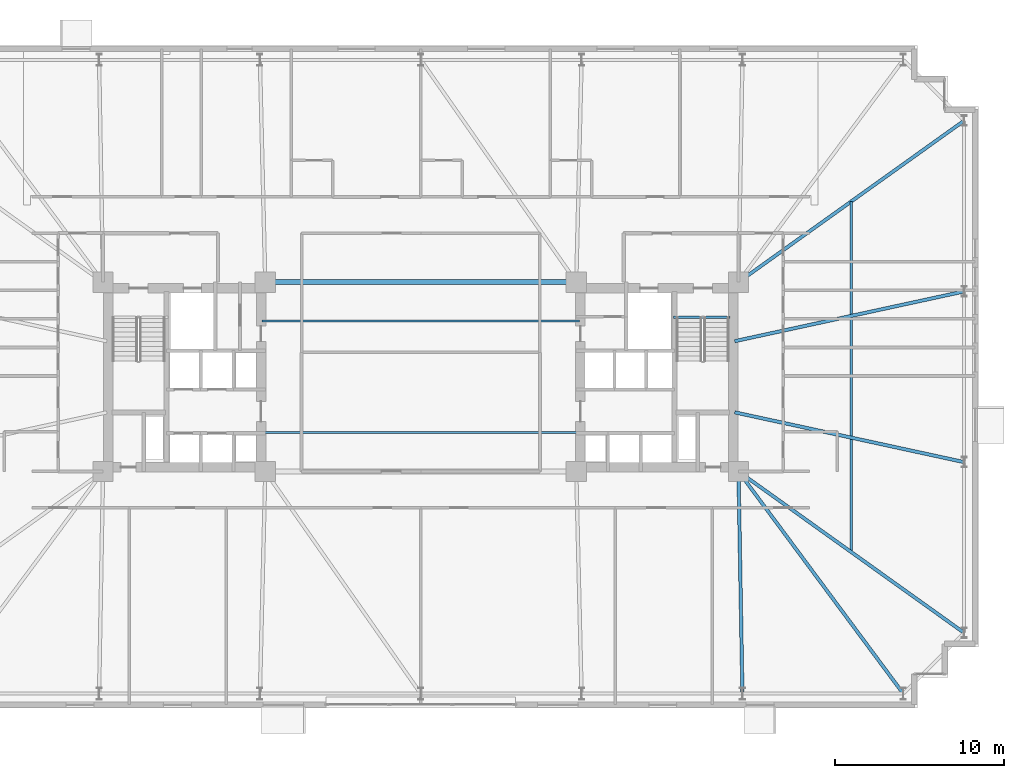
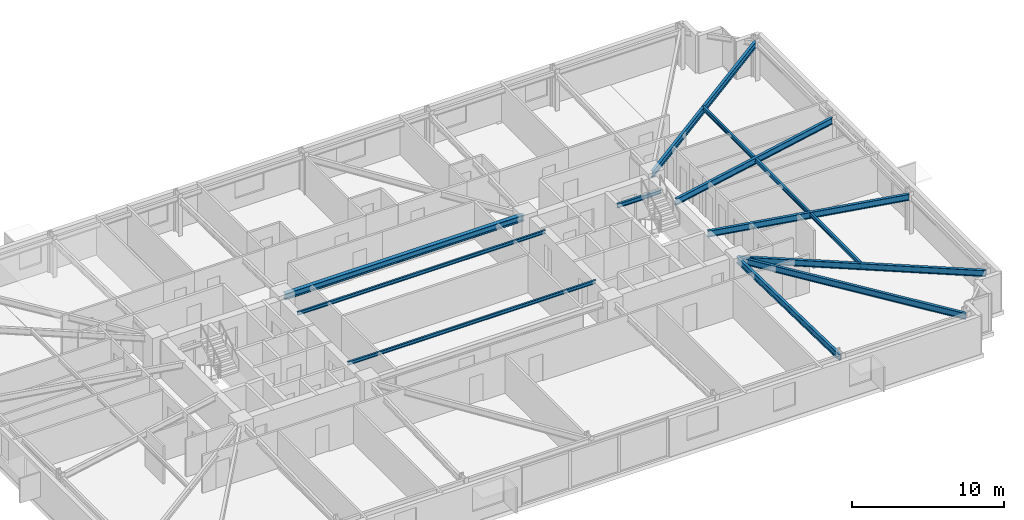
# One storey, part 11 of 26: 11 beams.
"""IFC4 building model written with IfcOpenShell, lengths in metres."""

from ifc_helpers import new_model, si_unit, direction, frame, origin, origin_2d, place, context, subcontext, project, spatial, i_section, extrude, material, material_profile, profile_set, type_object, element, save


model = new_model("IFC4")

# Units and contexts
model_context = context("Model", 3, precision=1e-05, world=origin(), true_north=direction((0.0, 1.0)))
body_context = subcontext(model_context, "Body", "Model", "MODEL_VIEW")
ifc_project = project(units=[si_unit("LENGTHUNIT", "METRE"), si_unit("AREAUNIT", "SQUARE_METRE"), si_unit("VOLUMEUNIT", "CUBIC_METRE"), si_unit("PLANEANGLEUNIT", "RADIAN"), si_unit("MASSUNIT", "GRAM", prefix="KILO")], contexts=[model_context])

# Site, building, storey
site_placement = place(None, origin())
site = spatial("IfcSite", under=ifc_project, at=site_placement, CompositionType="ELEMENT")
building_placement = place(site_placement, origin())
building = spatial("IfcBuilding", under=site, at=building_placement, Name="Qobustan Lattice House", CompositionType="ELEMENT")
storey_placement = place(building_placement, frame((0.0, 0.0, 47.10009765625)))
storey = spatial("IfcBuildingStorey", under=building, at=storey_placement, Name="L12", CompositionType="ELEMENT", Elevation=47.10009765625)

# Beams
ifc_material_1 = material(Name="Steel S355", Category="steel")
ifc_material_profile_1 = material_profile(ifc_material_1, i_section(OverallWidth=0.300048828125, OverallDepth=0.5, WebThickness=0.014404296875, FlangeThickness=0.028076171875, FilletRadius=0.027099609375, at=origin_2d()), Name="HEB500")
ifc_profile_set_1 = profile_set([ifc_material_profile_1], Name="Steel S355")
beam_type_1 = type_object("IfcBeamType", Name="BM-CG-HEB500", PredefinedType="USERDEFINED", material=ifc_profile_set_1)
beam_1_placement = place(storey_placement, frame((-9.050048828125, 5.60009765625, 2.784912109375), z_axis=(1.0, 0.0, 0.0), x_axis=(0.0, 1.0, 0.0)))
element("IfcBeam", 1, at=beam_1_placement, inside=storey, type_object=beam_type_1, Name="L12 core spine girder CG-CN", ObjectType="GIRDER", PredefinedType="USERDEFINED", context=body_context, shape_type="SweptSolid", body=[
    extrude(i_section(OverallWidth=0.300048828125, OverallDepth=0.5, WebThickness=0.014404296875, FlangeThickness=0.028076171875, FilletRadius=0.027099609375, at=origin_2d()), origin(), (0.0, 0.0, 1.0), 18.10009765625),
])
ifc_material_2 = material(Name="Steel S355", Category="steel")
ifc_material_profile_2 = material_profile(ifc_material_2, i_section(OverallWidth=0.199951171875, OverallDepth=0.5, WebThickness=0.01025390625, FlangeThickness=0.01611328125, FilletRadius=0.02099609375, at=origin_2d()), Name="IPE500")
ifc_profile_set_2 = profile_set([ifc_material_profile_2], Name="Steel S355")
beam_type_2 = type_object("IfcBeamType", Name="BM-FLG-IPE500", PredefinedType="USERDEFINED", material=ifc_profile_set_2)
beam_2_placement = place(storey_placement, frame((19.032958984375, -18.72509765625, 2.784912109375), z_axis=(-0.017757831607, 0.999842317276, 0.0), x_axis=(-0.999842317276, -0.017757831607, 0.0)))
element("IfcBeam", 2, at=beam_2_placement, inside=storey, type_object=beam_type_2, Name="L12 primary floor girder RAD-S6", ObjectType="GIRDER", PredefinedType="USERDEFINED", context=body_context, shape_type="SweptSolid", body=[
    extrude(i_section(OverallWidth=0.199951171875, OverallDepth=0.5, WebThickness=0.01025390625, FlangeThickness=0.01611328125, FilletRadius=0.02099609375, at=origin_2d()), origin(), (0.0, 0.0, 1.0), 13.10205078125),
])
beam_3_placement = place(storey_placement, frame((28.53515625, -18.72998046875, 2.784912109375), z_axis=(-0.5955916815, 0.803287338956, 0.0), x_axis=(-0.803287338956, -0.5955916815, 0.0)))
element("IfcBeam", 3, at=beam_3_placement, inside=storey, type_object=beam_type_2, Name="L12 primary floor girder RAD-S7E", ObjectType="GIRDER", PredefinedType="USERDEFINED", context=body_context, shape_type="SweptSolid", body=[
    extrude(i_section(OverallWidth=0.199951171875, OverallDepth=0.5, WebThickness=0.01025390625, FlangeThickness=0.01611328125, FilletRadius=0.02099609375, at=origin_2d()), origin(), (0.0, 0.0, 1.0), 16.3203125),
])
beam_4_placement = place(storey_placement, frame((32.129638671875, 15.135498046875, 2.784912109375), z_axis=(-0.813318954893, -0.581818079481, 0.0), x_axis=(0.581818079481, -0.813318954893, 0.0)))
element("IfcBeam", 4, at=beam_4_placement, inside=storey, type_object=beam_type_2, Name="L12 primary floor girder RAD-E4", ObjectType="GIRDER", PredefinedType="USERDEFINED", context=body_context, shape_type="SweptSolid", body=[
    extrude(i_section(OverallWidth=0.199951171875, OverallDepth=0.5, WebThickness=0.01025390625, FlangeThickness=0.01611328125, FilletRadius=0.02099609375, at=origin_2d()), origin(), (0.0, 0.0, 1.0), 16.3642578125),
])
for number, where, z_axis, x_axis, name in (
    (5, (32.12548828125, 5.044677734375, 2.784912109375), (-0.97727240275, -0.211987383643, 0.0), (0.211987383643, -0.97727240275, 0.0), "L12 primary floor girder RAD-E3"),
    (6, (32.12548828125, -5.044677734375, 2.784912109375), (-0.97727240275, 0.211987383643, 0.0), (-0.211987383643, -0.97727240275, 0.0), "L12 primary floor girder RAD-E2"),
):
    element("IfcBeam", number, at=place(storey_placement, frame(where, z_axis=z_axis, x_axis=x_axis)), inside=storey, type_object=beam_type_2, Name=name, ObjectType="GIRDER", PredefinedType="USERDEFINED", context=body_context, shape_type="SweptSolid", body=[
        extrude(i_section(OverallWidth=0.199951171875, OverallDepth=0.5, WebThickness=0.01025390625, FlangeThickness=0.01611328125, FilletRadius=0.02099609375, at=origin_2d()), origin(), (0.0, 0.0, 1.0), 13.8662109375),
    ])
beam_5_placement = place(storey_placement, frame((32.129638671875, -15.135498046875, 2.784912109375), z_axis=(-0.813318954893, 0.581818079481, 0.0), x_axis=(-0.581818079481, -0.813318954893, 0.0)))
element("IfcBeam", 7, at=beam_5_placement, inside=storey, type_object=beam_type_2, Name="L12 primary floor girder RAD-E1", ObjectType="GIRDER", PredefinedType="USERDEFINED", context=body_context, shape_type="SweptSolid", body=[
    extrude(i_section(OverallWidth=0.199951171875, OverallDepth=0.5, WebThickness=0.01025390625, FlangeThickness=0.01611328125, FilletRadius=0.02099609375, at=origin_2d()), origin(), (0.0, 0.0, 1.0), 16.3642578125),
])
ifc_material_3 = material(Name="Steel S355", Category="steel")
ifc_material_profile_3 = material_profile(ifc_material_3, i_section(OverallWidth=0.135009765625, OverallDepth=0.27001953125, WebThickness=0.006591796875, FlangeThickness=0.01025390625, FilletRadius=0.014892578125, at=origin_2d()), Name="IPE270")
ifc_profile_set_3 = profile_set([ifc_material_profile_3], Name="Steel S355")
beam_type_3 = type_object("IfcBeamType", Name="BM-JST-IPE270", PredefinedType="JOIST", material=ifc_profile_set_3)
for number, where, z_axis, x_axis, name in (
    (8, (-9.39990234375, -3.300048828125, 2.89990234375), (1.0, 0.0, 0.0), (0.0, 1.0, 0.0), "L12 central span floor joist 1"),
    (9, (-9.39990234375, 3.300048828125, 2.89990234375), (1.0, 0.0, 0.0), (0.0, 1.0, 0.0), "L12 central span floor joist 2"),
):
    element("IfcBeam", number, at=place(storey_placement, frame(where, z_axis=z_axis, x_axis=x_axis)), inside=storey, type_object=beam_type_3, Name=name, PredefinedType="JOIST", context=body_context, shape_type="SweptSolid", body=[
        extrude(i_section(OverallWidth=0.135009765625, OverallDepth=0.27001953125, WebThickness=0.006591796875, FlangeThickness=0.01025390625, FilletRadius=0.014892578125, at=origin_2d()), origin(), (0.0, 0.0, 1.0), 18.7998046875),
    ])
ifc_material_4 = material(Name="Steel S355", Category="steel")
ifc_material_profile_4 = material_profile(ifc_material_4, i_section(OverallWidth=0.159912109375, OverallDepth=0.330078125, WebThickness=0.007568359375, FlangeThickness=0.011474609375, FilletRadius=0.01806640625, at=origin_2d()), Name="IPE330")
ifc_profile_set_4 = profile_set([ifc_material_profile_4], Name="Steel S355")
beam_type_4 = type_object("IfcBeamType", Name="BM-SEC-IPE330", PredefinedType="BEAM", material=ifc_profile_set_4)
beam_6_placement = place(storey_placement, frame((25.47509765625, 10.375, 2.869873046875), z_axis=(0.0, -1.0, 0.0), x_axis=(1.0, 0.0, 0.0)))
element("IfcBeam", 10, at=beam_6_placement, inside=storey, type_object=beam_type_4, Name="L12 east wing secondary beam", PredefinedType="BEAM", context=body_context, shape_type="SweptSolid", body=[
    extrude(i_section(OverallWidth=0.159912109375, OverallDepth=0.330078125, WebThickness=0.007568359375, FlangeThickness=0.011474609375, FilletRadius=0.01806640625, at=origin_2d()), origin(), (0.0, 0.0, 1.0), 20.75),
])
ifc_material_5 = material(Name="Steel S355", Category="steel")
ifc_material_profile_5 = material_profile(ifc_material_5, i_section(OverallWidth=0.159912109375, OverallDepth=0.330078125, WebThickness=0.007568359375, FlangeThickness=0.011474609375, FilletRadius=0.01806640625, at=origin_2d()), Name="IPE330")
ifc_profile_set_5 = profile_set([ifc_material_profile_5], Name="Steel S355")
beam_type_5 = type_object("IfcBeamType", Name="BM-SPD-IPE330", PredefinedType="SPANDREL", material=ifc_profile_set_5)
beam_7_placement = place(storey_placement, frame((14.949951171875, 3.52001953125, 2.869873046875), z_axis=(1.0, 0.0, 0.0), x_axis=(0.0, 1.0, 0.0)))
element("IfcBeam", 11, at=beam_7_placement, inside=storey, type_object=beam_type_5, Name="L12 east stair landing trimmer beam", PredefinedType="SPANDREL", context=body_context, shape_type="SweptSolid", body=[
    extrude(i_section(OverallWidth=0.159912109375, OverallDepth=0.330078125, WebThickness=0.007568359375, FlangeThickness=0.011474609375, FilletRadius=0.01806640625, at=origin_2d()), origin(), (0.0, 0.0, 1.0), 3.35009765625),
])

save(model, "model.ifc")
